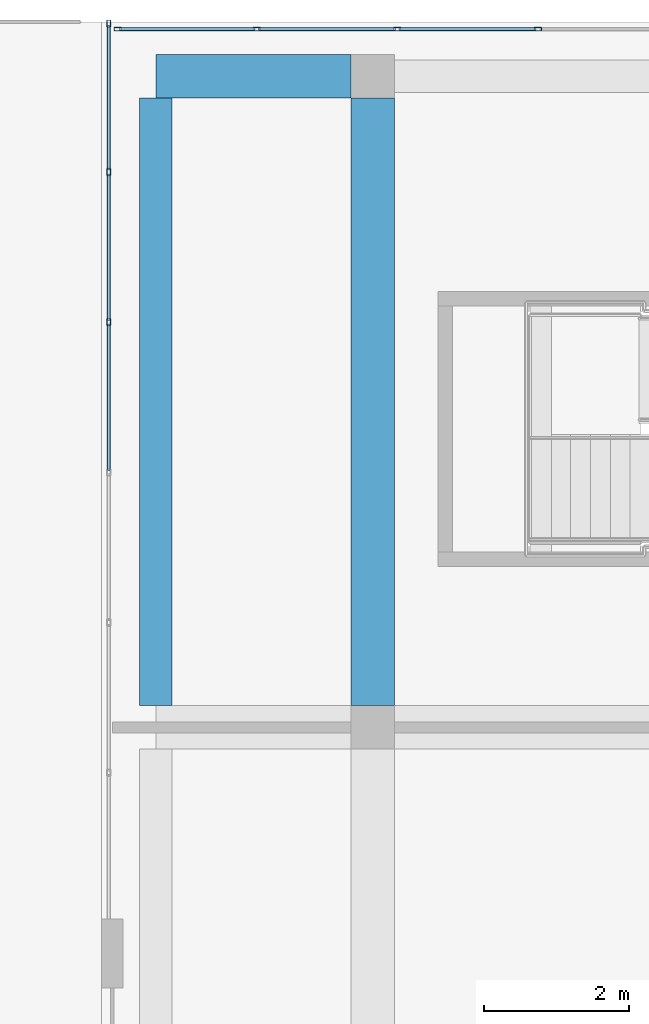
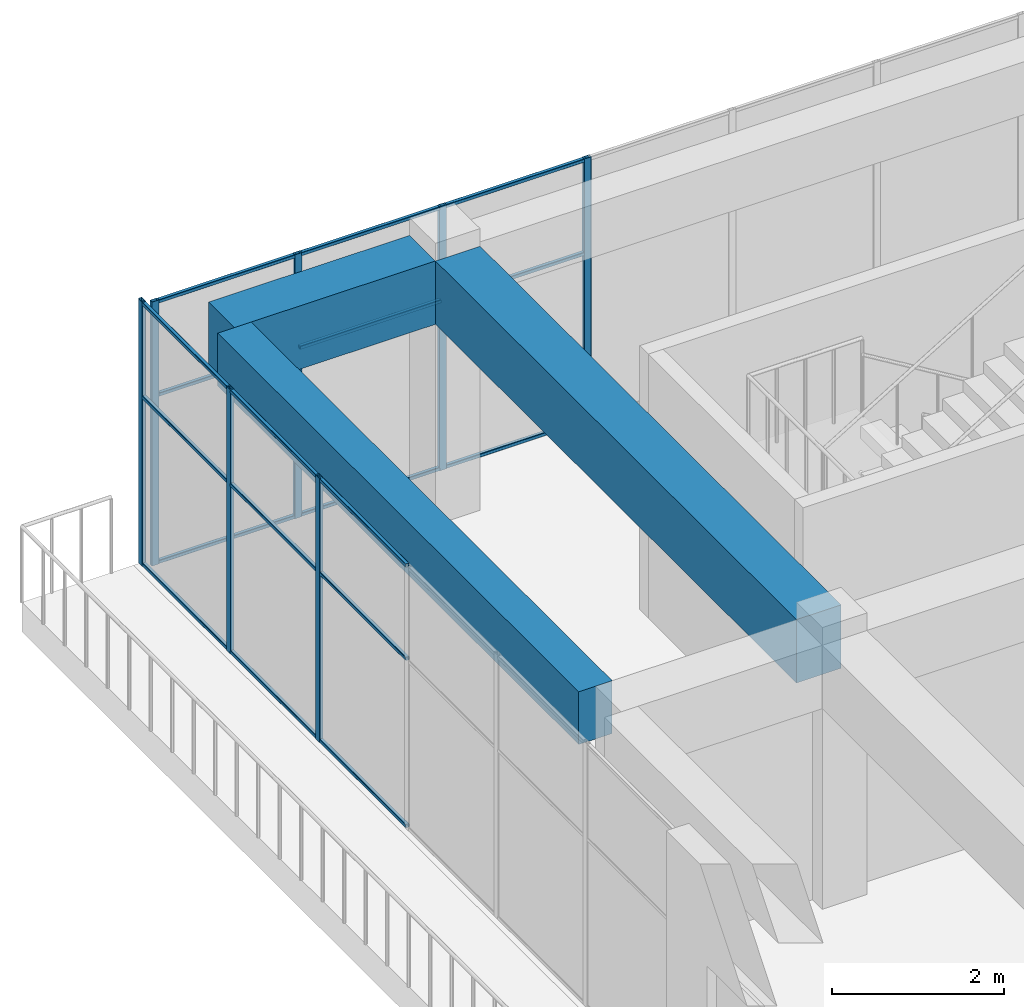
# One storey, part 19 of 32: 25 members, 3 beams, 2 elements without a shape of their own.
"""IFC4 building model written with IfcOpenShell, lengths in metres."""

from ifc_helpers import new_model, si_unit, direction, frame, origin, origin_2d, place, context, subcontext, project, spatial, rectangle, hollow_rectangle, extrude, material, layer, layer_set, material_profile, profile_set, type_object, element, aggregate, save


model = new_model("IFC4")

# Units and contexts
model_context = context("Model", 3, precision=1e-05, world=origin(), true_north=direction((0.0, 1.0)))
body_context = subcontext(model_context, "Body", "Model", "MODEL_VIEW")
ifc_project = project(units=[si_unit("LENGTHUNIT", "METRE"), si_unit("AREAUNIT", "SQUARE_METRE"), si_unit("VOLUMEUNIT", "CUBIC_METRE"), si_unit("PLANEANGLEUNIT", "RADIAN"), si_unit("MASSUNIT", "GRAM", prefix="KILO")], contexts=[model_context])

# Site, building, storey
site_placement = place(None, origin())
site = spatial("IfcSite", under=ifc_project, at=site_placement, CompositionType="ELEMENT")
building_placement = place(site_placement, origin())
building = spatial("IfcBuilding", under=site, at=building_placement, Name="Tuart Plaza Theatre", CompositionType="ELEMENT")
storey_placement = place(building_placement, frame((0.0, 0.0, 41.5)))
storey = spatial("IfcBuildingStorey", under=building, at=storey_placement, Name="L10", CompositionType="ELEMENT", Elevation=41.5)

# Beams
ifc_material_1 = material(Name="Concrete N40 (40 MPa)", Category="concrete")
ifc_material_profile_1 = material_profile(ifc_material_1, rectangle(XDim=0.449951171875, YDim=0.75, at=origin_2d()), Name="BEAM 450x750 Concrete N40 (40 MPa)")
ifc_profile_set_1 = profile_set([ifc_material_profile_1], Name="Concrete N40 (40 MPa)")
beam_type_1 = type_object("IfcBeamType", Name="BEAM 450x750 Concrete N40 (40 MPa)", PredefinedType="BEAM", material=ifc_profile_set_1)
beam_1_placement = place(storey_placement, frame((111.0, 83.300048828125, 3.375), z_axis=(0.0, 1.0, 0.0), x_axis=(-1.0, 0.0, 0.0)))
element("IfcBeam", 1, at=beam_1_placement, inside=storey, type_object=beam_type_1, Name="RB286", PredefinedType="BEAM", context=body_context, shape_type="SweptSolid", body=[
    extrude(rectangle(XDim=0.449951171875, YDim=0.75, at=origin_2d()), origin(), (0.0, 0.0, 1.0), 8.39990234375),
])
ifc_material_2 = material(Name="Concrete N40 (40 MPa)", Category="concrete")
ifc_material_profile_2 = material_profile(ifc_material_2, rectangle(XDim=0.60009765625, YDim=0.89990234375, at=origin_2d()), Name="BEAM 600x900 Concrete N40 (40 MPa)")
ifc_profile_set_2 = profile_set([ifc_material_profile_2], Name="Concrete N40 (40 MPa)")
beam_type_2 = type_object("IfcBeamType", Name="BEAM 600x900 Concrete N40 (40 MPa)", PredefinedType="BEAM", material=ifc_profile_set_2)
beam_2_placement = place(storey_placement, frame((111.0, 92.0, 3.300048828125), z_axis=(1.0, 0.0, 0.0), x_axis=(0.0, 1.0, 0.0)))
element("IfcBeam", 2, at=beam_2_placement, inside=storey, type_object=beam_type_2, Name="RB288", PredefinedType="BEAM", context=body_context, shape_type="SweptSolid", body=[
    extrude(rectangle(XDim=0.60009765625, YDim=0.89990234375, at=origin_2d()), origin(), (0.0, 0.0, 1.0), 2.699951171875),
])
beam_3_placement = place(storey_placement, frame((114.0, 83.300048828125, 3.300048828125), z_axis=(0.0, 1.0, 0.0), x_axis=(-1.0, 0.0, 0.0)))
element("IfcBeam", 3, at=beam_3_placement, inside=storey, type_object=beam_type_2, Name="RB293", PredefinedType="BEAM", context=body_context, shape_type="SweptSolid", body=[
    extrude(rectangle(XDim=0.60009765625, YDim=0.89990234375, at=origin_2d()), origin(), (0.0, 0.0, 1.0), 8.39990234375),
])

# Curtain wall, members
ifc_material_3 = material(Name="Aluminium and glass", Category="aluminium")
ifc_layer = layer(ifc_material_3, 0.10009765625)
ifc_layer_set = layer_set([ifc_layer], Name="CURTAIN WALL 2000 module")
curtain_wall_type = type_object("IfcCurtainWallType", Name="CURTAIN WALL 2000 module", PredefinedType="NOTDEFINED", material=ifc_layer_set)
curtain_wall_1_placement = place(storey_placement, origin())
curtain_wall_1 = element("IfcCurtainWall", 4, at=curtain_wall_1_placement, inside=storey, type_object=curtain_wall_type, Name="CW105", PredefinedType="NOTDEFINED")
ifc_material_4 = material(Name="Aluminium 6063-T5", Category="aluminium")
ifc_material_profile_3 = material_profile(ifc_material_4, hollow_rectangle(XDim=0.050048828125, YDim=0.10009765625, WallThickness=0.00390625, InnerFilletRadius=0.00390625, OuterFilletRadius=0.008056640625, at=origin_2d()), Name="RHS 100x50x4")
ifc_profile_set_3 = profile_set([ifc_material_profile_3], Name="Aluminium 6063-T5")
member_type_1 = type_object("IfcMemberType", Name="MULLION RHS 100x50x4", PredefinedType="MULLION", material=ifc_profile_set_3)
member_1_placement = place(storey_placement, frame((116.28125, 92.64990234375, 0.0), z_axis=(0.0, 0.0, 1.0), x_axis=(0.0, -1.0, 0.0)))
member_1 = element("IfcMember", 5, at=member_1_placement, type_object=member_type_1, Name="CW105 mullion 14", PredefinedType="MULLION", context=body_context, shape_type="SweptSolid", body=[
    extrude(hollow_rectangle(XDim=0.050048828125, YDim=0.10009765625, WallThickness=0.00390625, InnerFilletRadius=0.00390625, OuterFilletRadius=0.008056640625, at=origin_2d()), origin(), (0.0, 0.0, 1.0), 3.75),
])
member_2_placement = place(storey_placement, frame((114.33740234375, 92.64990234375, 0.0), z_axis=(0.0, 0.0, 1.0), x_axis=(0.0, -1.0, 0.0)))
member_2 = element("IfcMember", 6, at=member_2_placement, type_object=member_type_1, Name="CW105 mullion 15", PredefinedType="MULLION", context=body_context, shape_type="SweptSolid", body=[
    extrude(hollow_rectangle(XDim=0.050048828125, YDim=0.10009765625, WallThickness=0.00390625, InnerFilletRadius=0.00390625, OuterFilletRadius=0.008056640625, at=origin_2d()), origin(), (0.0, 0.0, 1.0), 3.75),
])
member_3_placement = place(storey_placement, frame((112.393798828125, 92.64990234375, 0.0), z_axis=(0.0, 0.0, 1.0), x_axis=(0.0, -1.0, 0.0)))
member_3 = element("IfcMember", 7, at=member_3_placement, type_object=member_type_1, Name="CW105 mullion 16", PredefinedType="MULLION", context=body_context, shape_type="SweptSolid", body=[
    extrude(hollow_rectangle(XDim=0.050048828125, YDim=0.10009765625, WallThickness=0.00390625, InnerFilletRadius=0.00390625, OuterFilletRadius=0.008056640625, at=origin_2d()), origin(), (0.0, 0.0, 1.0), 3.75),
])
member_4_placement = place(storey_placement, frame((110.47509765625, 92.64990234375, 0.0), z_axis=(0.0, 0.0, 1.0), x_axis=(0.0, -1.0, 0.0)))
member_4 = element("IfcMember", 8, at=member_4_placement, type_object=member_type_1, Name="CW105 mullion 17", PredefinedType="MULLION", context=body_context, shape_type="SweptSolid", body=[
    extrude(hollow_rectangle(XDim=0.050048828125, YDim=0.10009765625, WallThickness=0.00390625, InnerFilletRadius=0.00390625, OuterFilletRadius=0.008056640625, at=origin_2d()), origin(), (0.0, 0.0, 1.0), 3.75),
])

curtain_wall_2_placement = place(storey_placement, origin())
curtain_wall_2 = element("IfcCurtainWall", 9, at=curtain_wall_2_placement, inside=storey, type_object=curtain_wall_type, Name="CW106", PredefinedType="NOTDEFINED")
member_5_placement = place(storey_placement, frame((110.35009765625, 92.72509765625, 0.0), z_axis=(0.0, 0.0, 1.0), x_axis=(1.0, 0.0, 0.0)))
member_5 = element("IfcMember", 10, at=member_5_placement, type_object=member_type_1, Name="CW106 mullion 1", PredefinedType="MULLION", context=body_context, shape_type="SweptSolid", body=[
    extrude(hollow_rectangle(XDim=0.050048828125, YDim=0.10009765625, WallThickness=0.00390625, InnerFilletRadius=0.00390625, OuterFilletRadius=0.008056640625, at=origin_2d()), origin(), (0.0, 0.0, 1.0), 3.75),
])
member_6_placement = place(storey_placement, frame((110.35009765625, 90.675048828125, 0.0), z_axis=(0.0, 0.0, 1.0), x_axis=(1.0, 0.0, 0.0)))
member_6 = element("IfcMember", 11, at=member_6_placement, type_object=member_type_1, Name="CW106 mullion 2", PredefinedType="MULLION", context=body_context, shape_type="SweptSolid", body=[
    extrude(hollow_rectangle(XDim=0.050048828125, YDim=0.10009765625, WallThickness=0.00390625, InnerFilletRadius=0.00390625, OuterFilletRadius=0.008056640625, at=origin_2d()), origin(), (0.0, 0.0, 1.0), 3.75),
])
member_7_placement = place(storey_placement, frame((110.35009765625, 88.60009765625, 0.0), z_axis=(0.0, 0.0, 1.0), x_axis=(1.0, 0.0, 0.0)))
member_7 = element("IfcMember", 12, at=member_7_placement, type_object=member_type_1, Name="CW106 mullion 3", PredefinedType="MULLION", context=body_context, shape_type="SweptSolid", body=[
    extrude(hollow_rectangle(XDim=0.050048828125, YDim=0.10009765625, WallThickness=0.00390625, InnerFilletRadius=0.00390625, OuterFilletRadius=0.008056640625, at=origin_2d()), origin(), (0.0, 0.0, 1.0), 3.75),
])

# Member
ifc_material_5 = material(Name="Aluminium 6063-T5", Category="aluminium")
ifc_material_profile_4 = material_profile(ifc_material_5, hollow_rectangle(XDim=0.050048828125, YDim=0.050048828125, WallThickness=0.00390625, InnerFilletRadius=0.00390625, OuterFilletRadius=0.008056640625, at=origin_2d()), Name="RHS 50x50x4")
ifc_profile_set_4 = profile_set([ifc_material_profile_4], Name="Aluminium 6063-T5")
member_type_2 = type_object("IfcMemberType", Name="TRANSOM RHS 50x50x4", PredefinedType="USERDEFINED", material=ifc_profile_set_4)
member_8_placement = place(storey_placement, frame((116.25634765625, 92.64990234375, 0.02490234375), z_axis=(-1.0, 0.0, 0.0), x_axis=(0.0, -1.0, 0.0)))
member_8 = element("IfcMember", 13, at=member_8_placement, type_object=member_type_2, Name="CW105 transom 14.1", ObjectType="TRANSOM", PredefinedType="USERDEFINED", context=body_context, shape_type="SweptSolid", body=[
    extrude(hollow_rectangle(XDim=0.050048828125, YDim=0.050048828125, WallThickness=0.00390625, InnerFilletRadius=0.00390625, OuterFilletRadius=0.008056640625, at=origin_2d()), origin(), (0.0, 0.0, 1.0), 1.893798828125),
])

member_9_placement = place(storey_placement, frame((116.25634765625, 92.64990234375, 2.39990234375), z_axis=(-1.0, 0.0, 0.0), x_axis=(0.0, -1.0, 0.0)))
member_9 = element("IfcMember", 14, at=member_9_placement, type_object=member_type_2, Name="CW105 transom 14.2", ObjectType="TRANSOM", PredefinedType="USERDEFINED", context=body_context, shape_type="SweptSolid", body=[
    extrude(hollow_rectangle(XDim=0.050048828125, YDim=0.050048828125, WallThickness=0.00390625, InnerFilletRadius=0.00390625, OuterFilletRadius=0.008056640625, at=origin_2d()), origin(), (0.0, 0.0, 1.0), 1.893798828125),
])

member_10_placement = place(storey_placement, frame((116.25634765625, 92.64990234375, 3.72509765625), z_axis=(-1.0, 0.0, 0.0), x_axis=(0.0, -1.0, 0.0)))
member_10 = element("IfcMember", 15, at=member_10_placement, type_object=member_type_2, Name="CW105 transom 14.3", ObjectType="TRANSOM", PredefinedType="USERDEFINED", context=body_context, shape_type="SweptSolid", body=[
    extrude(hollow_rectangle(XDim=0.050048828125, YDim=0.050048828125, WallThickness=0.00390625, InnerFilletRadius=0.00390625, OuterFilletRadius=0.008056640625, at=origin_2d()), origin(), (0.0, 0.0, 1.0), 1.893798828125),
])

member_11_placement = place(storey_placement, frame((114.3125, 92.64990234375, 0.02490234375), z_axis=(-1.0, 0.0, 0.0), x_axis=(0.0, -1.0, 0.0)))
member_11 = element("IfcMember", 16, at=member_11_placement, type_object=member_type_2, Name="CW105 transom 15.1", ObjectType="TRANSOM", PredefinedType="USERDEFINED", context=body_context, shape_type="SweptSolid", body=[
    extrude(hollow_rectangle(XDim=0.050048828125, YDim=0.050048828125, WallThickness=0.00390625, InnerFilletRadius=0.00390625, OuterFilletRadius=0.008056640625, at=origin_2d()), origin(), (0.0, 0.0, 1.0), 1.893798828125),
])

member_12_placement = place(storey_placement, frame((114.3125, 92.64990234375, 2.39990234375), z_axis=(-1.0, 0.0, 0.0), x_axis=(0.0, -1.0, 0.0)))
member_12 = element("IfcMember", 17, at=member_12_placement, type_object=member_type_2, Name="CW105 transom 15.2", ObjectType="TRANSOM", PredefinedType="USERDEFINED", context=body_context, shape_type="SweptSolid", body=[
    extrude(hollow_rectangle(XDim=0.050048828125, YDim=0.050048828125, WallThickness=0.00390625, InnerFilletRadius=0.00390625, OuterFilletRadius=0.008056640625, at=origin_2d()), origin(), (0.0, 0.0, 1.0), 1.893798828125),
])

member_13_placement = place(storey_placement, frame((114.3125, 92.64990234375, 3.72509765625), z_axis=(-1.0, 0.0, 0.0), x_axis=(0.0, -1.0, 0.0)))
member_13 = element("IfcMember", 18, at=member_13_placement, type_object=member_type_2, Name="CW105 transom 15.3", ObjectType="TRANSOM", PredefinedType="USERDEFINED", context=body_context, shape_type="SweptSolid", body=[
    extrude(hollow_rectangle(XDim=0.050048828125, YDim=0.050048828125, WallThickness=0.00390625, InnerFilletRadius=0.00390625, OuterFilletRadius=0.008056640625, at=origin_2d()), origin(), (0.0, 0.0, 1.0), 1.893798828125),
])

member_14_placement = place(storey_placement, frame((112.36865234375, 92.64990234375, 0.02490234375), z_axis=(-1.0, 0.0, 0.0), x_axis=(0.0, -1.0, 0.0)))
member_14 = element("IfcMember", 19, at=member_14_placement, type_object=member_type_2, Name="CW105 transom 16.1", ObjectType="TRANSOM", PredefinedType="USERDEFINED", context=body_context, shape_type="SweptSolid", body=[
    extrude(hollow_rectangle(XDim=0.050048828125, YDim=0.050048828125, WallThickness=0.00390625, InnerFilletRadius=0.00390625, OuterFilletRadius=0.008056640625, at=origin_2d()), origin(), (0.0, 0.0, 1.0), 1.86865234375),
])

member_15_placement = place(storey_placement, frame((112.36865234375, 92.64990234375, 2.39990234375), z_axis=(-1.0, 0.0, 0.0), x_axis=(0.0, -1.0, 0.0)))
member_15 = element("IfcMember", 20, at=member_15_placement, type_object=member_type_2, Name="CW105 transom 16.2", ObjectType="TRANSOM", PredefinedType="USERDEFINED", context=body_context, shape_type="SweptSolid", body=[
    extrude(hollow_rectangle(XDim=0.050048828125, YDim=0.050048828125, WallThickness=0.00390625, InnerFilletRadius=0.00390625, OuterFilletRadius=0.008056640625, at=origin_2d()), origin(), (0.0, 0.0, 1.0), 1.86865234375),
])

member_16_placement = place(storey_placement, frame((112.36865234375, 92.64990234375, 3.72509765625), z_axis=(-1.0, 0.0, 0.0), x_axis=(0.0, -1.0, 0.0)))
member_16 = element("IfcMember", 21, at=member_16_placement, type_object=member_type_2, Name="CW105 transom 16.3", ObjectType="TRANSOM", PredefinedType="USERDEFINED", context=body_context, shape_type="SweptSolid", body=[
    extrude(hollow_rectangle(XDim=0.050048828125, YDim=0.050048828125, WallThickness=0.00390625, InnerFilletRadius=0.00390625, OuterFilletRadius=0.008056640625, at=origin_2d()), origin(), (0.0, 0.0, 1.0), 1.86865234375),
])

aggregate(curtain_wall_1, [member_1, member_2, member_3, member_4, member_8, member_9, member_10, member_11, member_12, member_13, member_14, member_15, member_16])

member_17_placement = place(storey_placement, frame((110.35009765625, 92.699951171875, 0.02490234375), z_axis=(0.0, -1.0, 0.0), x_axis=(1.0, 0.0, 0.0)))
member_17 = element("IfcMember", 22, at=member_17_placement, type_object=member_type_2, Name="CW106 transom 1.1", ObjectType="TRANSOM", PredefinedType="USERDEFINED", context=body_context, shape_type="SweptSolid", body=[
    extrude(hollow_rectangle(XDim=0.050048828125, YDim=0.050048828125, WallThickness=0.00390625, InnerFilletRadius=0.00390625, OuterFilletRadius=0.008056640625, at=origin_2d()), origin(), (0.0, 0.0, 1.0), 2.0),
])

member_18_placement = place(storey_placement, frame((110.35009765625, 92.699951171875, 2.39990234375), z_axis=(0.0, -1.0, 0.0), x_axis=(1.0, 0.0, 0.0)))
member_18 = element("IfcMember", 23, at=member_18_placement, type_object=member_type_2, Name="CW106 transom 1.2", ObjectType="TRANSOM", PredefinedType="USERDEFINED", context=body_context, shape_type="SweptSolid", body=[
    extrude(hollow_rectangle(XDim=0.050048828125, YDim=0.050048828125, WallThickness=0.00390625, InnerFilletRadius=0.00390625, OuterFilletRadius=0.008056640625, at=origin_2d()), origin(), (0.0, 0.0, 1.0), 2.0),
])

member_19_placement = place(storey_placement, frame((110.35009765625, 92.699951171875, 3.72509765625), z_axis=(0.0, -1.0, 0.0), x_axis=(1.0, 0.0, 0.0)))
member_19 = element("IfcMember", 24, at=member_19_placement, type_object=member_type_2, Name="CW106 transom 1.3", ObjectType="TRANSOM", PredefinedType="USERDEFINED", context=body_context, shape_type="SweptSolid", body=[
    extrude(hollow_rectangle(XDim=0.050048828125, YDim=0.050048828125, WallThickness=0.00390625, InnerFilletRadius=0.00390625, OuterFilletRadius=0.008056640625, at=origin_2d()), origin(), (0.0, 0.0, 1.0), 2.0),
])

member_20_placement = place(storey_placement, frame((110.35009765625, 90.64990234375, 0.02490234375), z_axis=(0.0, -1.0, 0.0), x_axis=(1.0, 0.0, 0.0)))
member_20 = element("IfcMember", 25, at=member_20_placement, type_object=member_type_2, Name="CW106 transom 2.1", ObjectType="TRANSOM", PredefinedType="USERDEFINED", context=body_context, shape_type="SweptSolid", body=[
    extrude(hollow_rectangle(XDim=0.050048828125, YDim=0.050048828125, WallThickness=0.00390625, InnerFilletRadius=0.00390625, OuterFilletRadius=0.008056640625, at=origin_2d()), origin(), (0.0, 0.0, 1.0), 2.02490234375),
])

member_21_placement = place(storey_placement, frame((110.35009765625, 90.64990234375, 2.39990234375), z_axis=(0.0, -1.0, 0.0), x_axis=(1.0, 0.0, 0.0)))
member_21 = element("IfcMember", 26, at=member_21_placement, type_object=member_type_2, Name="CW106 transom 2.2", ObjectType="TRANSOM", PredefinedType="USERDEFINED", context=body_context, shape_type="SweptSolid", body=[
    extrude(hollow_rectangle(XDim=0.050048828125, YDim=0.050048828125, WallThickness=0.00390625, InnerFilletRadius=0.00390625, OuterFilletRadius=0.008056640625, at=origin_2d()), origin(), (0.0, 0.0, 1.0), 2.02490234375),
])

member_22_placement = place(storey_placement, frame((110.35009765625, 90.64990234375, 3.72509765625), z_axis=(0.0, -1.0, 0.0), x_axis=(1.0, 0.0, 0.0)))
member_22 = element("IfcMember", 27, at=member_22_placement, type_object=member_type_2, Name="CW106 transom 2.3", ObjectType="TRANSOM", PredefinedType="USERDEFINED", context=body_context, shape_type="SweptSolid", body=[
    extrude(hollow_rectangle(XDim=0.050048828125, YDim=0.050048828125, WallThickness=0.00390625, InnerFilletRadius=0.00390625, OuterFilletRadius=0.008056640625, at=origin_2d()), origin(), (0.0, 0.0, 1.0), 2.02490234375),
])

member_23_placement = place(storey_placement, frame((110.35009765625, 88.574951171875, 0.02490234375), z_axis=(0.0, -1.0, 0.0), x_axis=(1.0, 0.0, 0.0)))
member_23 = element("IfcMember", 28, at=member_23_placement, type_object=member_type_2, Name="CW106 transom 3.1", ObjectType="TRANSOM", PredefinedType="USERDEFINED", context=body_context, shape_type="SweptSolid", body=[
    extrude(hollow_rectangle(XDim=0.050048828125, YDim=0.050048828125, WallThickness=0.00390625, InnerFilletRadius=0.00390625, OuterFilletRadius=0.008056640625, at=origin_2d()), origin(), (0.0, 0.0, 1.0), 2.02490234375),
])

member_24_placement = place(storey_placement, frame((110.35009765625, 88.574951171875, 2.39990234375), z_axis=(0.0, -1.0, 0.0), x_axis=(1.0, 0.0, 0.0)))
member_24 = element("IfcMember", 29, at=member_24_placement, type_object=member_type_2, Name="CW106 transom 3.2", ObjectType="TRANSOM", PredefinedType="USERDEFINED", context=body_context, shape_type="SweptSolid", body=[
    extrude(hollow_rectangle(XDim=0.050048828125, YDim=0.050048828125, WallThickness=0.00390625, InnerFilletRadius=0.00390625, OuterFilletRadius=0.008056640625, at=origin_2d()), origin(), (0.0, 0.0, 1.0), 2.02490234375),
])

member_25_placement = place(storey_placement, frame((110.35009765625, 88.574951171875, 3.72509765625), z_axis=(0.0, -1.0, 0.0), x_axis=(1.0, 0.0, 0.0)))
member_25 = element("IfcMember", 30, at=member_25_placement, type_object=member_type_2, Name="CW106 transom 3.3", ObjectType="TRANSOM", PredefinedType="USERDEFINED", context=body_context, shape_type="SweptSolid", body=[
    extrude(hollow_rectangle(XDim=0.050048828125, YDim=0.050048828125, WallThickness=0.00390625, InnerFilletRadius=0.00390625, OuterFilletRadius=0.008056640625, at=origin_2d()), origin(), (0.0, 0.0, 1.0), 2.02490234375),
])

aggregate(curtain_wall_2, [member_5, member_6, member_7, member_17, member_18, member_19, member_20, member_21, member_22, member_23, member_24, member_25])

save(model, "model.ifc")
